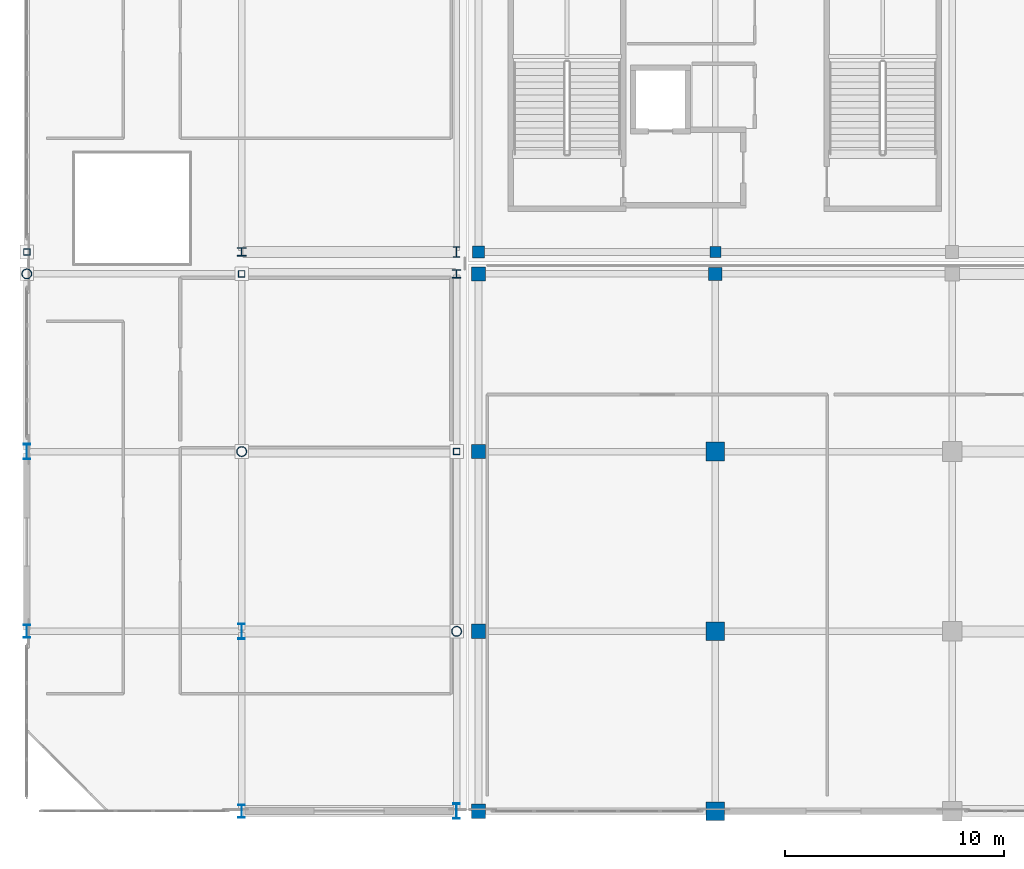
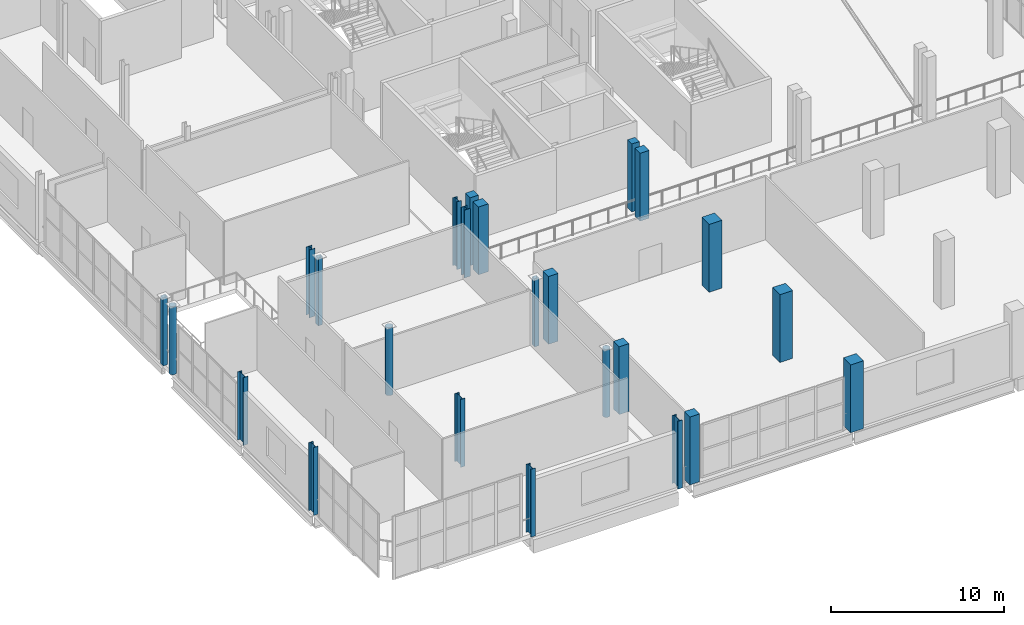
# One storey, part 1 of 142: 24 columns.
"""IFC4 building model written with IfcOpenShell, lengths in metres."""

from ifc_helpers import new_model, si_unit, direction, frame, origin, origin_2d, place, context, subcontext, project, spatial, rectangle, hollow_rectangle, hollow_circle, i_section, extrude, material, material_profile, profile_set, type_object, element, save


model = new_model("IFC4")

# Units and contexts
model_context = context("Model", 3, precision=1e-05, world=origin(), true_north=direction((0.0, 1.0)))
body_context = subcontext(model_context, "Body", "Model", "MODEL_VIEW")
ifc_project = project(units=[si_unit("LENGTHUNIT", "METRE"), si_unit("AREAUNIT", "SQUARE_METRE"), si_unit("VOLUMEUNIT", "CUBIC_METRE"), si_unit("PLANEANGLEUNIT", "RADIAN"), si_unit("MASSUNIT", "GRAM", prefix="KILO")], contexts=[model_context])

# Site, building, storey
site_placement = place(None, origin())
site = spatial("IfcSite", under=ifc_project, at=site_placement, CompositionType="ELEMENT")
building_placement = place(site_placement, origin())
building = spatial("IfcBuilding", under=site, at=building_placement, Name="Koshinbarg Plaza Stadium", CompositionType="ELEMENT")
storey_placement = place(building_placement, frame((0.0, 0.0, 10.199951171875)))
storey = spatial("IfcBuildingStorey", under=building, at=storey_placement, Name="L02", CompositionType="ELEMENT", Elevation=10.199951171875)

# Columns
ifc_material_1 = material(Name="Concrete C40/50", Category="concrete")
ifc_material_profile_1 = material_profile(ifc_material_1, rectangle(XDim=0.5, YDim=0.5, at=origin_2d()), Name="RC 500x500")
ifc_profile_set_1 = profile_set([ifc_material_profile_1], Name="Concrete C40/50")
column_type_1 = type_object("IfcColumnType", Name="COL-RC-02", PredefinedType="COLUMN", material=ifc_profile_set_1)
column_1_placement = place(storey_placement, frame((35.39990234375, 25.5, 0.0), z_axis=(0.0, 0.0, 1.0), x_axis=(1.0, 0.0, 0.0)))
element("IfcColumn", 1, at=column_1_placement, inside=storey, type_object=column_type_1, Name="L02 column 6/E", PredefinedType="COLUMN", context=body_context, shape_type="SweptSolid", body=[
    extrude(rectangle(XDim=0.5, YDim=0.5, at=origin_2d()), origin(), (0.0, 0.0, 1.0), 4.800048828125),
])
ifc_material_profile_2 = material_profile(ifc_material_1, rectangle(XDim=0.550048828125, YDim=0.550048828125, at=origin_2d()), Name="RC 550x550")
ifc_profile_set_2 = profile_set([ifc_material_profile_2], Name="Concrete C40/50")
column_type_2 = type_object("IfcColumnType", Name="COL-RC-03", PredefinedType="COLUMN", material=ifc_profile_set_2)
column_2_placement = place(storey_placement, frame((24.60009765625, 25.5, 0.0), z_axis=(0.0, 0.0, 1.0), x_axis=(1.0, 0.0, 0.0)))
element("IfcColumn", 2, at=column_2_placement, inside=storey, type_object=column_type_2, Name="L02 column 5/E", PredefinedType="COLUMN", context=body_context, shape_type="SweptSolid", body=[
    extrude(rectangle(XDim=0.550048828125, YDim=0.550048828125, at=origin_2d()), origin(), (0.0, 0.0, 1.0), 4.800048828125),
])
ifc_material_profile_3 = material_profile(ifc_material_1, rectangle(XDim=0.60009765625, YDim=0.60009765625, at=origin_2d()), Name="RC 600x600")
ifc_profile_set_3 = profile_set([ifc_material_profile_3], Name="Concrete C40/50")
column_type_3 = type_object("IfcColumnType", Name="COL-RC-04", PredefinedType="COLUMN", material=ifc_profile_set_3)
column_3_placement = place(storey_placement, frame((35.39990234375, 24.5, 0.0), z_axis=(0.0, 0.0, 1.0), x_axis=(1.0, 0.0, 0.0)))
element("IfcColumn", 3, at=column_3_placement, inside=storey, type_object=column_type_3, Name="L02 column 6/D", PredefinedType="COLUMN", context=body_context, shape_type="SweptSolid", body=[
    extrude(rectangle(XDim=0.60009765625, YDim=0.60009765625, at=origin_2d()), origin(), (0.0, 0.0, 1.0), 4.800048828125),
])
ifc_material_profile_4 = material_profile(ifc_material_1, rectangle(XDim=0.64990234375, YDim=0.64990234375, at=origin_2d()), Name="RC 650x650")
ifc_profile_set_4 = profile_set([ifc_material_profile_4], Name="Concrete C40/50")
column_type_4 = type_object("IfcColumnType", Name="COL-RC-05", PredefinedType="COLUMN", material=ifc_profile_set_4)
for number, where, z_axis, x_axis, name in (
    (4, (24.60009765625, 0.0, 0.0), (0.0, 0.0, 1.0), (1.0, 0.0, 0.0), "L02 column 5/A"),
    (5, (24.60009765625, 8.199951171875, 0.0), (0.0, 0.0, 1.0), (1.0, 0.0, 0.0), "L02 column 5/B"),
    (6, (24.60009765625, 16.39990234375, 0.0), (0.0, 0.0, 1.0), (1.0, 0.0, 0.0), "L02 column 5/C"),
    (7, (24.60009765625, 24.5, 0.0), (0.0, 0.0, 1.0), (1.0, 0.0, 0.0), "L02 column 5/D"),
):
    element("IfcColumn", number, at=place(storey_placement, frame(where, z_axis=z_axis, x_axis=x_axis)), inside=storey, type_object=column_type_4, Name=name, PredefinedType="COLUMN", context=body_context, shape_type="SweptSolid", body=[
        extrude(rectangle(XDim=0.64990234375, YDim=0.64990234375, at=origin_2d()), origin(), (0.0, 0.0, 1.0), 4.800048828125),
    ])
ifc_material_profile_5 = material_profile(ifc_material_1, rectangle(XDim=0.85009765625, YDim=0.85009765625, at=origin_2d()), Name="RC 850x850")
ifc_profile_set_5 = profile_set([ifc_material_profile_5], Name="Concrete C40/50")
column_type_5 = type_object("IfcColumnType", Name="COL-RC-09", PredefinedType="COLUMN", material=ifc_profile_set_5)
for number, where, z_axis, x_axis, name in (
    (8, (35.39990234375, 0.0, 0.0), (0.0, 0.0, 1.0), (1.0, 0.0, 0.0), "L02 column 6/A"),
    (9, (35.39990234375, 8.199951171875, 0.0), (0.0, 0.0, 1.0), (1.0, 0.0, 0.0), "L02 column 6/B"),
    (10, (35.39990234375, 16.39990234375, 0.0), (0.0, 0.0, 1.0), (1.0, 0.0, 0.0), "L02 column 6/C"),
):
    element("IfcColumn", number, at=place(storey_placement, frame(where, z_axis=z_axis, x_axis=x_axis)), inside=storey, type_object=column_type_5, Name=name, PredefinedType="COLUMN", context=body_context, shape_type="SweptSolid", body=[
        extrude(rectangle(XDim=0.85009765625, YDim=0.85009765625, at=origin_2d()), origin(), (0.0, 0.0, 1.0), 4.800048828125),
    ])
ifc_material_2 = material(Name="Steel S355", Category="steel")
ifc_material_profile_6 = material_profile(ifc_material_2, i_section(OverallWidth=0.39501953125, OverallDepth=0.3798828125, WebThickness=0.018798828125, FlangeThickness=0.0302734375, at=origin_2d()), Name="HD 400x237")
ifc_profile_set_6 = profile_set([ifc_material_profile_6], Name="Steel S355")
column_type_6 = type_object("IfcColumnType", Name="COL-STL-01", PredefinedType="COLUMN", material=ifc_profile_set_6)
for number, where, z_axis, x_axis, name in (
    (11, (13.800048828125, 25.5, 0.0), (0.0, 0.0, 1.0), (1.0, 0.0, 0.0), "L02 column 3/E"),
    (12, (23.60009765625, 24.5, 0.0), (0.0, 0.0, 1.0), (1.0, 0.0, 0.0), "L02 column 4/D"),
):
    element("IfcColumn", number, at=place(storey_placement, frame(where, z_axis=z_axis, x_axis=x_axis)), inside=storey, type_object=column_type_6, Name=name, PredefinedType="COLUMN", context=body_context, shape_type="SweptSolid", body=[
        extrude(i_section(OverallWidth=0.39501953125, OverallDepth=0.3798828125, WebThickness=0.018798828125, FlangeThickness=0.0302734375, at=origin_2d()), origin(), (0.0, 0.0, 1.0), 4.800048828125),
    ])
ifc_material_profile_7 = material_profile(ifc_material_2, i_section(OverallWidth=0.300048828125, OverallDepth=0.5, WebThickness=0.014404296875, FlangeThickness=0.028076171875, at=origin_2d()), Name="HEB 500")
ifc_profile_set_7 = profile_set([ifc_material_profile_7], Name="Steel S355")
column_type_7 = type_object("IfcColumnType", Name="COL-STL-02", PredefinedType="COLUMN", material=ifc_profile_set_7)
column_4_placement = place(storey_placement, frame((23.60009765625, 25.5, 0.0), z_axis=(0.0, 0.0, 1.0), x_axis=(1.0, 0.0, 0.0)))
element("IfcColumn", 13, at=column_4_placement, inside=storey, type_object=column_type_7, Name="L02 column 4/E", PredefinedType="COLUMN", context=body_context, shape_type="SweptSolid", body=[
    extrude(i_section(OverallWidth=0.300048828125, OverallDepth=0.5, WebThickness=0.014404296875, FlangeThickness=0.028076171875, at=origin_2d()), origin(), (0.0, 0.0, 1.0), 4.800048828125),
])
ifc_material_profile_8 = material_profile(ifc_material_2, i_section(OverallWidth=0.300048828125, OverallDepth=0.60009765625, WebThickness=0.015380859375, FlangeThickness=0.030029296875, at=origin_2d()), Name="HEB 600")
ifc_profile_set_8 = profile_set([ifc_material_profile_8], Name="Steel S355")
column_type_8 = type_object("IfcColumnType", Name="COL-STL-03", PredefinedType="COLUMN", material=ifc_profile_set_8)
for number, where, z_axis, x_axis, name in (
    (14, (4.0, 8.199951171875, 0.0), (0.0, 0.0, 1.0), (1.0, 0.0, 0.0), "L02 column 2/B"),
    (15, (13.800048828125, 0.0, 0.0), (0.0, 0.0, 1.0), (1.0, 0.0, 0.0), "L02 column 3/A"),
):
    element("IfcColumn", number, at=place(storey_placement, frame(where, z_axis=z_axis, x_axis=x_axis)), inside=storey, type_object=column_type_8, Name=name, PredefinedType="COLUMN", context=body_context, shape_type="SweptSolid", body=[
        extrude(i_section(OverallWidth=0.300048828125, OverallDepth=0.60009765625, WebThickness=0.015380859375, FlangeThickness=0.030029296875, at=origin_2d()), origin(), (0.0, 0.0, 1.0), 4.800048828125),
    ])
ifc_material_profile_9 = material_profile(ifc_material_2, i_section(OverallWidth=0.300048828125, OverallDepth=0.699951171875, WebThickness=0.01708984375, FlangeThickness=0.031982421875, at=origin_2d()), Name="HEB 700")
ifc_profile_set_9 = profile_set([ifc_material_profile_9], Name="Steel S355")
column_type_9 = type_object("IfcColumnType", Name="COL-STL-04", PredefinedType="COLUMN", material=ifc_profile_set_9)
for number, where, z_axis, x_axis, name in (
    (16, (4.0, 16.39990234375, 0.0), (0.0, 0.0, 1.0), (1.0, 0.0, 0.0), "L02 column 2/C"),
    (17, (13.800048828125, 8.199951171875, 0.0), (0.0, 0.0, 1.0), (1.0, 0.0, 0.0), "L02 column 3/B"),
    (18, (23.60009765625, 0.0, 0.0), (0.0, 0.0, 1.0), (1.0, 0.0, 0.0), "L02 column 4/A"),
):
    element("IfcColumn", number, at=place(storey_placement, frame(where, z_axis=z_axis, x_axis=x_axis)), inside=storey, type_object=column_type_9, Name=name, PredefinedType="COLUMN", context=body_context, shape_type="SweptSolid", body=[
        extrude(i_section(OverallWidth=0.300048828125, OverallDepth=0.699951171875, WebThickness=0.01708984375, FlangeThickness=0.031982421875, at=origin_2d()), origin(), (0.0, 0.0, 1.0), 4.800048828125),
    ])
ifc_material_profile_10 = material_profile(ifc_material_2, hollow_circle(Radius=0.228515625, WallThickness=0.02001953125, at=origin_2d()), Name="CHS 457x20")
ifc_profile_set_10 = profile_set([ifc_material_profile_10], Name="Steel S355")
column_type_10 = type_object("IfcColumnType", Name="COL-STL-05", PredefinedType="COLUMN", material=ifc_profile_set_10)
for number, where, z_axis, x_axis, name in (
    (19, (4.0, 24.5, 0.0), (0.0, 0.0, 1.0), (1.0, 0.0, 0.0), "L02 column 2/D"),
    (20, (13.800048828125, 16.39990234375, 0.0), (0.0, 0.0, 1.0), (1.0, 0.0, 0.0), "L02 column 3/C"),
    (21, (23.60009765625, 8.199951171875, 0.0), (0.0, 0.0, 1.0), (1.0, 0.0, 0.0), "L02 column 4/B"),
):
    element("IfcColumn", number, at=place(storey_placement, frame(where, z_axis=z_axis, x_axis=x_axis)), inside=storey, type_object=column_type_10, Name=name, PredefinedType="COLUMN", context=body_context, shape_type="SweptSolid", body=[
        extrude(hollow_circle(Radius=0.228515625, WallThickness=0.02001953125, at=origin_2d()), origin(), (0.0, 0.0, 1.0), 4.800048828125),
    ])
ifc_material_profile_11 = material_profile(ifc_material_2, hollow_rectangle(XDim=0.300048828125, YDim=0.300048828125, WallThickness=0.01611328125, at=origin_2d()), Name="SHS 300x300x16")
ifc_profile_set_11 = profile_set([ifc_material_profile_11], Name="Steel S355")
column_type_11 = type_object("IfcColumnType", Name="COL-STL-06", PredefinedType="COLUMN", material=ifc_profile_set_11)
for number, where, z_axis, x_axis, name in (
    (22, (4.0, 25.5, 0.0), (0.0, 0.0, 1.0), (1.0, 0.0, 0.0), "L02 column 2/E"),
    (23, (13.800048828125, 24.5, 0.0), (0.0, 0.0, 1.0), (1.0, 0.0, 0.0), "L02 column 3/D"),
    (24, (23.60009765625, 16.39990234375, 0.0), (0.0, 0.0, 1.0), (1.0, 0.0, 0.0), "L02 column 4/C"),
):
    element("IfcColumn", number, at=place(storey_placement, frame(where, z_axis=z_axis, x_axis=x_axis)), inside=storey, type_object=column_type_11, Name=name, PredefinedType="COLUMN", context=body_context, shape_type="SweptSolid", body=[
        extrude(hollow_rectangle(XDim=0.300048828125, YDim=0.300048828125, WallThickness=0.01611328125, at=origin_2d()), origin(), (0.0, 0.0, 1.0), 4.800048828125),
    ])

save(model, "model.ifc")
